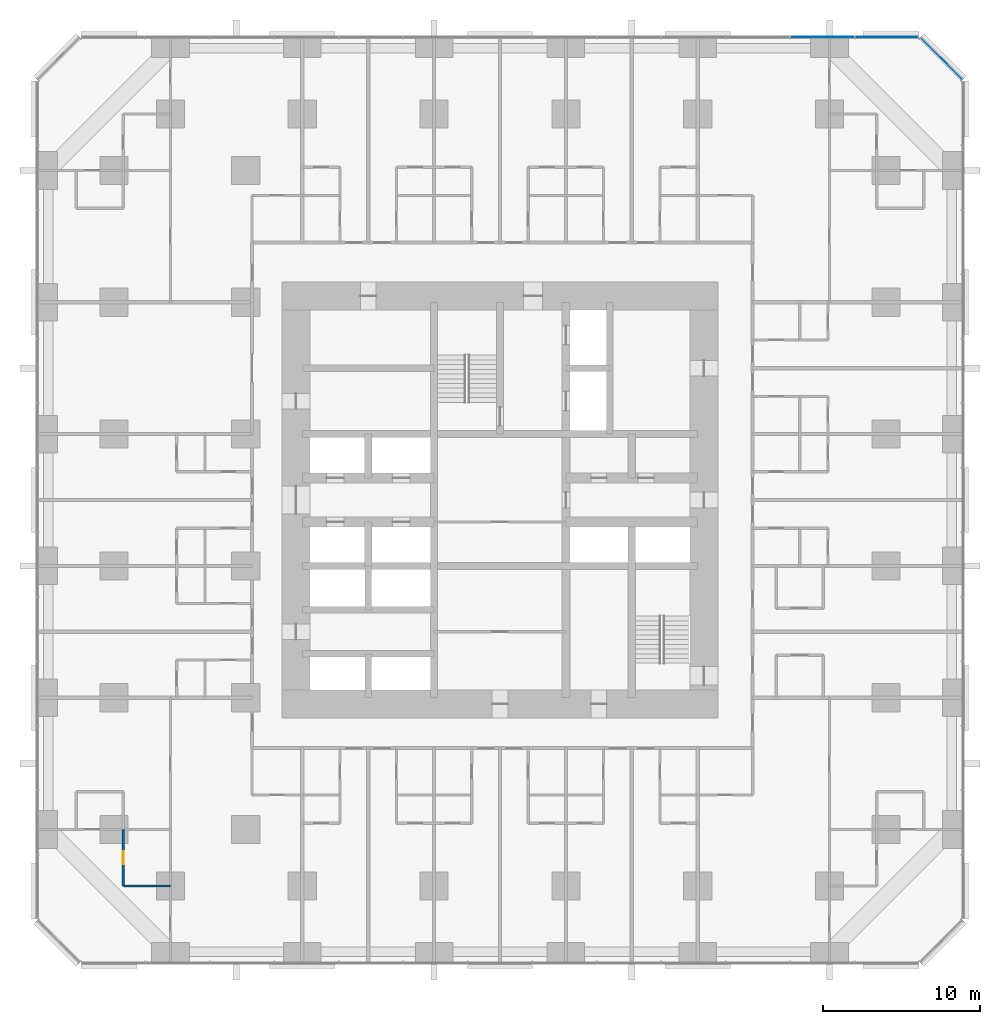
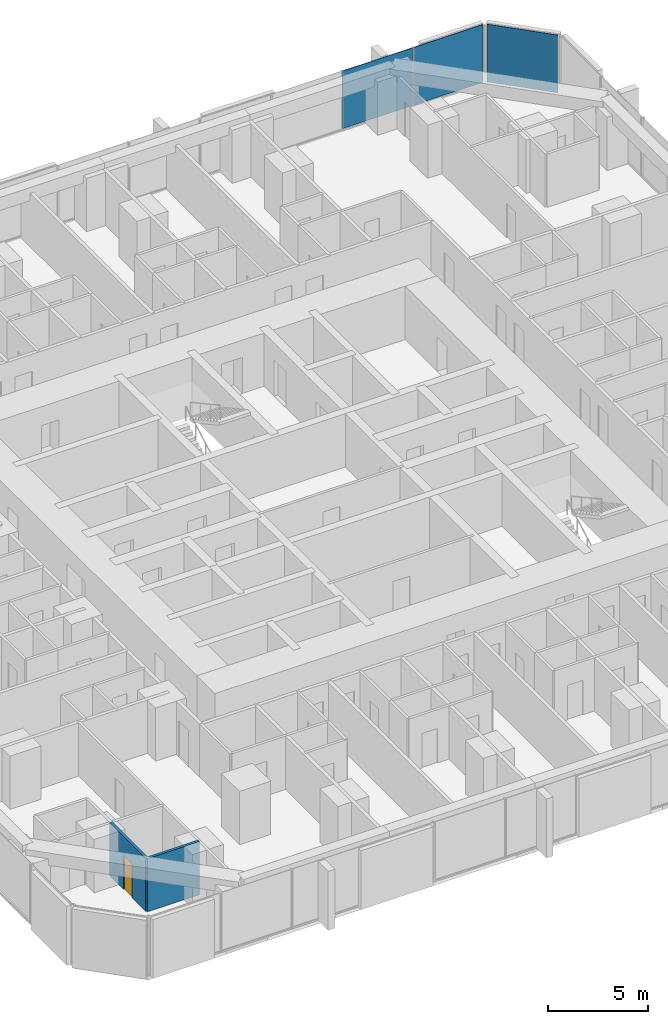
# One storey, part 10 of 18: 3 plates, 2 walls, 1 door, 1 opening, 2 elements without a shape of their own.
"""IFC4 building model written with IfcOpenShell, lengths in metres."""

from ifc_helpers import new_model, si_unit, direction, frame, frame_2d, origin, origin_2d, place, context, subcontext, project, spatial, rectangle, extrude, material, layer, layer_set, type_object, element, fill, aggregate, save


model = new_model("IFC4")

# Units and contexts
model_context = context("Model", 3, precision=1e-05, world=origin(), true_north=direction((0.0, 1.0)))
body_context = subcontext(model_context, "Body", "Model", "MODEL_VIEW")
ifc_project = project(units=[si_unit("LENGTHUNIT", "METRE"), si_unit("AREAUNIT", "SQUARE_METRE"), si_unit("VOLUMEUNIT", "CUBIC_METRE"), si_unit("PLANEANGLEUNIT", "RADIAN"), si_unit("MASSUNIT", "GRAM", prefix="KILO")], contexts=[model_context])

# Site, building, storey
site_placement = place(None, origin())
site = spatial("IfcSite", under=ifc_project, at=site_placement, CompositionType="ELEMENT")
building_placement = place(site_placement, origin())
building = spatial("IfcBuilding", under=site, at=building_placement, Name="Dunama Terrace Hotel", CompositionType="ELEMENT")
storey_placement = place(building_placement, frame((0.0, 0.0, 30.60009765625)))
storey = spatial("IfcBuildingStorey", under=building, at=storey_placement, Name="L06", CompositionType="ELEMENT", Elevation=30.60009765625)

# Curtain wall, plate
ifc_material_1 = material(Name="Aluminium curtain wall system", Category="aluminium")
curtain_wall_type = type_object("IfcCurtainWallType", Name="Unitised fritted glass wall CW-A", PredefinedType="NOTDEFINED", material=ifc_material_1)
curtain_wall_1_placement = place(storey_placement, origin())
curtain_wall_1 = element("IfcCurtainWall", 1, at=curtain_wall_1_placement, inside=storey, type_object=curtain_wall_type, Name="Unitised fritted glass wall CW-A L06", PredefinedType="NOTDEFINED")
ifc_material_2 = material(Name="Laminated glass", Category="glass")
ifc_layer_1 = layer(ifc_material_2, 0.030029296875)
ifc_layer_set_1 = layer_set([ifc_layer_1], Name="CWA clear glass panel")
plate_type_1 = type_object("IfcPlateType", Name="CWA clear glass panel", PredefinedType="CURTAIN_PANEL", material=ifc_layer_set_1)
plate_1_placement = place(storey_placement, frame((54.030029296875, 58.89990234375, 0.074951171875), z_axis=(0.0, 0.0, 1.0), x_axis=(-1.0, 0.0, 0.0)))
plate_1 = element("IfcPlate", 2, at=plate_1_placement, type_object=plate_type_1, Name="CWA clear glass panel", PredefinedType="CURTAIN_PANEL", context=body_context, shape_type="SweptSolid", body=[
    extrude(rectangle(XDim=4.01025390625, YDim=0.030029296875, at=origin_2d()), origin(), (0.0, 0.0, 1.0), 3.52490234375),
])

curtain_wall_2_placement = place(storey_placement, origin())
curtain_wall_2 = element("IfcCurtainWall", 3, at=curtain_wall_2_placement, inside=storey, type_object=curtain_wall_type, Name="Unitised fritted glass wall CW-A L06", PredefinedType="NOTDEFINED")
ifc_material_3 = material(Name="Fritted laminated glass", Category="glass")
ifc_layer_2 = layer(ifc_material_3, 0.030029296875)
ifc_layer_set_2 = layer_set([ifc_layer_2], Name="CWA fritted glass panel")
plate_type_2 = type_object("IfcPlateType", Name="CWA fritted glass panel", PredefinedType="CURTAIN_PANEL", material=ifc_layer_set_2)
plate_2_placement = place(storey_placement, frame((57.52099609375, 57.52099609375, 0.074951171875), z_axis=(0.0, 0.0, 1.0), x_axis=(-0.707106781187, 0.707106781187, 0.0)))
plate_2 = element("IfcPlate", 4, at=plate_2_placement, type_object=plate_type_2, Name="CWA fritted glass panel", PredefinedType="CURTAIN_PANEL", context=body_context, shape_type="SweptSolid", body=[
    extrude(rectangle(XDim=3.6884765625, YDim=0.030029296875, at=origin_2d()), origin(), (0.0, 0.0, 1.0), 3.52490234375),
])
aggregate(curtain_wall_2, [plate_2])

# Plate
ifc_material_4 = material(Name="Laminated glass", Category="glass")
ifc_layer_3 = layer(ifc_material_4, 0.030029296875)
ifc_layer_set_3 = layer_set([ifc_layer_3], Name="CWA operable glass panel")
plate_type_3 = type_object("IfcPlateType", Name="CWA operable glass panel", PredefinedType="CURTAIN_PANEL", material=ifc_layer_set_3)
plate_3_placement = place(storey_placement, frame((49.93798828125, 58.89990234375, 0.074951171875), z_axis=(0.0, 0.0, 1.0), x_axis=(-1.0, 0.0, 0.0)))
plate_3 = element("IfcPlate", 5, at=plate_3_placement, type_object=plate_type_3, Name="CWA operable glass panel", PredefinedType="CURTAIN_PANEL", context=body_context, shape_type="SweptSolid", body=[
    extrude(rectangle(XDim=4.042724609375, YDim=0.030029296875, at=origin_2d()), origin(), (0.0, 0.0, 1.0), 3.52490234375),
])

aggregate(curtain_wall_1, [plate_1, plate_3])

# Wall, opening, door
ifc_material_5 = material(Name="Gypsum board partition", Category="masonry")
ifc_layer_4 = layer(ifc_material_5, 0.14990234375)
ifc_layer_set_4 = layer_set([ifc_layer_4], Name="Bathroom partition 150")
wall_type = type_object("IfcWallType", Name="Bathroom partition 150", PredefinedType="PARTITIONING", material=ifc_layer_set_4)
wall_1_placement = place(storey_placement, frame((5.39990234375, 4.800048828125, 0.0), z_axis=(0.0, 0.0, 1.0), x_axis=(0.0, 1.0, 0.0)))
wall_1 = element("IfcWall", 6, at=wall_1_placement, inside=storey, type_object=wall_type, Name="Bathroom partition 150 L06", PredefinedType="PARTITIONING", context=body_context, shape_type="SweptSolid", body=[
    extrude(rectangle(XDim=3.599853515625, YDim=0.14990234375, at=frame_2d((1.7998046875, 0.0))), origin(), (0.0, 0.0, 1.0), 3.25),
])
opening_placement = place(wall_1_placement, frame((1.375, 0.0, 0.0)))
opening = element("IfcOpeningElement", 7, at=opening_placement, cuts=wall_1, Name="Opening L06-077", PredefinedType="OPENING", context=body_context, shape_type="SweptSolid", body=[
    extrude(rectangle(XDim=0.85009765625, YDim=2.10009765625, at=frame_2d((0.425048828125, 1.050048828125))), frame((0.0, 0.0849609375, 0.0), z_axis=(0.0, -1.0, 0.0), x_axis=(1.0, 0.0, 0.0)), (0.0, 0.0, 1.0), 0.169921875),
])
ifc_material_6 = material(Name="Timber door with steel frame", Category="steel")
door_type = type_object("IfcDoorType", Name="Bathroom door 850", OperationType="SINGLE_SWING_LEFT", PredefinedType="DOOR", material=ifc_material_6)
door_placement = place(opening_placement, frame((0.85009765625, 0.0, 0.0), z_axis=(0.0, 0.0, 1.0), x_axis=(-1.0, 0.0, 0.0)))
door = element("IfcDoor", 8, at=door_placement, inside=storey, type_object=door_type, Name="Door to en-suite bathroom L06-077, type D2", OperationType="SINGLE_SWING_LEFT", OverallHeight=2.10009765625, OverallWidth=0.85009765625, PredefinedType="DOOR", context=body_context, shape_type="SweptSolid", body=[
    extrude(rectangle(XDim=0.85009765625, YDim=2.10009765625, at=frame_2d((0.425048828125, 1.050048828125))), frame((0.0, 0.025146484375, 0.0), z_axis=(0.0, -1.0, 0.0), x_axis=(1.0, 0.0, 0.0)), (0.0, 0.0, 1.0), 0.050048828125),
])
fill(opening, door)

# Wall
wall_2_placement = place(storey_placement, frame((5.39990234375, 4.800048828125, 0.0), z_axis=(0.0, 0.0, 1.0), x_axis=(1.0, 0.0, 0.0)))
element("IfcWall", 9, at=wall_2_placement, inside=storey, type_object=wall_type, Name="Bathroom partition 150 L06", PredefinedType="PARTITIONING", context=body_context, shape_type="SweptSolid", body=[
    extrude(rectangle(XDim=3.0, YDim=0.14990234375, at=frame_2d((1.5, 0.0))), origin(), (0.0, 0.0, 1.0), 3.25),
])

save(model, "model.ifc")
